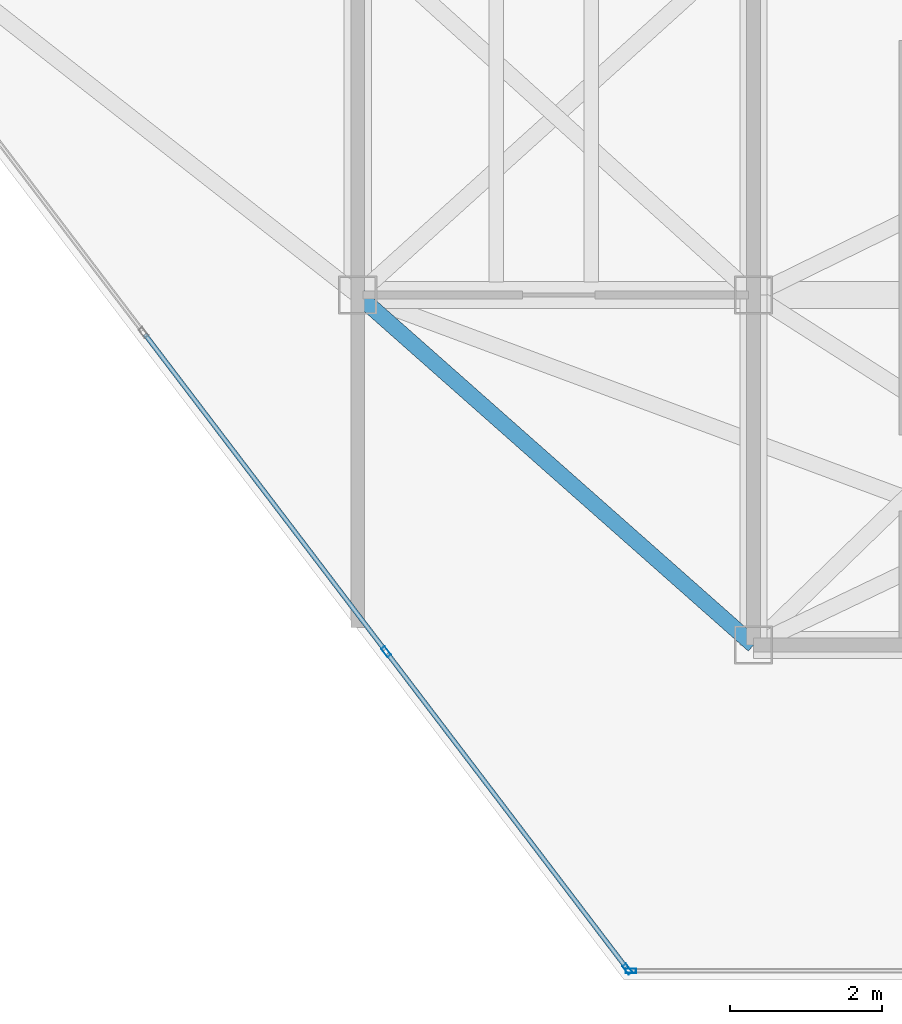
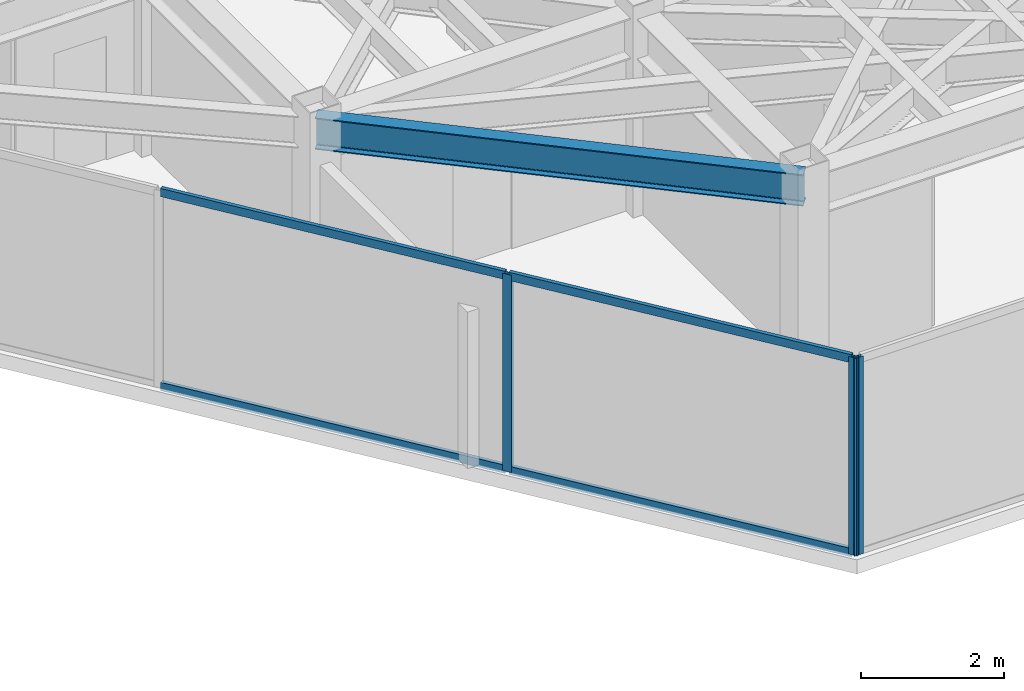
# One storey, part 7 of 20: 7 members, 1 beam, 2 elements without a shape of their own.
"""IFC4 building model written with IfcOpenShell, lengths in metres."""

from ifc_helpers import new_model, si_unit, direction, frame, origin, origin_2d, place, context, subcontext, project, spatial, hollow_rectangle, i_section, extrude, material, layer, layer_set, material_profile, profile_set, type_object, element, aggregate, save


model = new_model("IFC4")

# Units and contexts
model_context = context("Model", 3, precision=1e-05, world=origin(), true_north=direction((0.0, 1.0)))
body_context = subcontext(model_context, "Body", "Model", "MODEL_VIEW")
ifc_project = project(units=[si_unit("LENGTHUNIT", "METRE"), si_unit("AREAUNIT", "SQUARE_METRE"), si_unit("VOLUMEUNIT", "CUBIC_METRE"), si_unit("PLANEANGLEUNIT", "RADIAN"), si_unit("MASSUNIT", "GRAM", prefix="KILO")], contexts=[model_context])

# Site, building, storey
site_placement = place(None, origin())
site = spatial("IfcSite", under=ifc_project, at=site_placement, CompositionType="ELEMENT")
building_placement = place(site_placement, origin())
building = spatial("IfcBuilding", under=site, at=building_placement, Name="Kravanh Interchange Tower", CompositionType="ELEMENT")
storey_placement = place(building_placement, frame((0.0, 0.0, 252.60009765625)))
storey = spatial("IfcBuildingStorey", under=building, at=storey_placement, Name="L61", CompositionType="ELEMENT", Elevation=252.60009765625)

# Curtain wall, member
ifc_material_1 = material(Name="Anodised Bronze Aluminium", Category="aluminium")
ifc_layer = layer(ifc_material_1, 0.179931640625)
ifc_layer_set = layer_set([ifc_layer], Name="Unitised Curtain Wall System CW-HTL Luxury Hotel")
curtain_wall_type = type_object("IfcCurtainWallType", Name="Unitised Curtain Wall System CW-HTL Luxury Hotel", PredefinedType="NOTDEFINED", material=ifc_layer_set)
curtain_wall_1_placement = place(storey_placement, origin())
curtain_wall_1 = element("IfcCurtainWall", 1, at=curtain_wall_1_placement, inside=storey, type_object=curtain_wall_type, Name="L61 Unitised Curtain Wall CW-L61-03", PredefinedType="NOTDEFINED")
ifc_material_2 = material(Name="Anodised Bronze Aluminium", Category="aluminium")
ifc_material_profile_1 = material_profile(ifc_material_2, hollow_rectangle(XDim=0.06005859375, YDim=0.139892578125, WallThickness=0.00390625, at=origin_2d()), Name="ALU60X140X4")
ifc_profile_set_1 = profile_set([ifc_material_profile_1], Name="Anodised Bronze Aluminium")
member_type_1 = type_object("IfcMemberType", Name="Curtain Wall Mullion ALU60X140X4 Bronze", PredefinedType="MULLION", material=ifc_profile_set_1)
member_1_placement = place(storey_placement, frame((54.389404296875, 17.919921875, 0.0), z_axis=(0.0, 0.0, 1.0), x_axis=(0.0, -1.0, 0.0)))
member_1 = element("IfcMember", 2, at=member_1_placement, type_object=member_type_1, Name="CW-HTL mullion 3", PredefinedType="MULLION", context=body_context, shape_type="SweptSolid", body=[
    extrude(hollow_rectangle(XDim=0.06005859375, YDim=0.139892578125, WallThickness=0.00390625, at=origin_2d()), origin(), (0.0, 0.0, 1.0), 3.35986328125),
])
aggregate(curtain_wall_1, [member_1])

# Curtain wall, members
curtain_wall_2_placement = place(storey_placement, origin())
curtain_wall_2 = element("IfcCurtainWall", 3, at=curtain_wall_2_placement, inside=storey, type_object=curtain_wall_type, Name="L61 Unitised Curtain Wall CW-L61-04", PredefinedType="NOTDEFINED")
member_2_placement = place(storey_placement, frame((54.34130859375, 17.94384765625, 0.0), z_axis=(0.0, 0.0, 1.0), x_axis=(-0.79616243806, -0.605082946564, 0.0)))
member_2 = element("IfcMember", 4, at=member_2_placement, type_object=member_type_1, Name="CW-HTL mullion 1", PredefinedType="MULLION", context=body_context, shape_type="SweptSolid", body=[
    extrude(hollow_rectangle(XDim=0.06005859375, YDim=0.139892578125, WallThickness=0.00390625, at=origin_2d()), origin(), (0.0, 0.0, 1.0), 3.35986328125),
])
member_3_placement = place(storey_placement, frame((51.173095703125, 22.11279296875, 0.0), z_axis=(0.0, 0.0, 1.0), x_axis=(-0.79616243806, -0.605082946564, 0.0)))
member_3 = element("IfcMember", 5, at=member_3_placement, type_object=member_type_1, Name="CW-HTL mullion 2", PredefinedType="MULLION", context=body_context, shape_type="SweptSolid", body=[
    extrude(hollow_rectangle(XDim=0.06005859375, YDim=0.139892578125, WallThickness=0.00390625, at=origin_2d()), origin(), (0.0, 0.0, 1.0), 3.35986328125),
])
ifc_material_3 = material(Name="Anodised Bronze Aluminium", Category="aluminium")
ifc_material_profile_2 = material_profile(ifc_material_3, hollow_rectangle(XDim=0.06005859375, YDim=0.139892578125, WallThickness=0.00390625, at=origin_2d()), Name="ALU60X140X4")
ifc_profile_set_2 = profile_set([ifc_material_profile_2], Name="Anodised Bronze Aluminium")
member_type_2 = type_object("IfcMemberType", Name="Curtain Wall Transom ALU60X140X4 Bronze", PredefinedType="USERDEFINED", material=ifc_profile_set_2)
member_4_placement = place(storey_placement, frame((54.3232421875, 17.9677734375, 0.02978515625), z_axis=(-0.605089246946, 0.796157649734, 0.0), x_axis=(-0.796157649734, -0.605089246946, 0.0)))
member_4 = element("IfcMember", 6, at=member_4_placement, type_object=member_type_2, Name="CW-HTL transom 1.1", ObjectType="TRANSOM", PredefinedType="USERDEFINED", context=body_context, shape_type="SweptSolid", body=[
    extrude(hollow_rectangle(XDim=0.06005859375, YDim=0.139892578125, WallThickness=0.00390625, at=origin_2d()), origin(), (0.0, 0.0, 1.0), 5.17626953125),
])
member_5_placement = place(storey_placement, frame((54.3232421875, 17.9677734375, 3.329833984375), z_axis=(-0.605089246946, 0.796157649734, 0.0), x_axis=(-0.796157649734, -0.605089246946, 0.0)))
member_5 = element("IfcMember", 7, at=member_5_placement, type_object=member_type_2, Name="CW-HTL transom 1.2", ObjectType="TRANSOM", PredefinedType="USERDEFINED", context=body_context, shape_type="SweptSolid", body=[
    extrude(hollow_rectangle(XDim=0.06005859375, YDim=0.139892578125, WallThickness=0.00390625, at=origin_2d()), origin(), (0.0, 0.0, 1.0), 5.17626953125),
])
member_6_placement = place(storey_placement, frame((51.15478515625, 22.13671875, 0.02978515625), z_axis=(-0.605074944506, 0.796168519555, 0.0), x_axis=(-0.796168519555, -0.605074944506, 0.0)))
member_6 = element("IfcMember", 8, at=member_6_placement, type_object=member_type_2, Name="CW-HTL transom 2.1", ObjectType="TRANSOM", PredefinedType="USERDEFINED", context=body_context, shape_type="SweptSolid", body=[
    extrude(hollow_rectangle(XDim=0.06005859375, YDim=0.139892578125, WallThickness=0.00390625, at=origin_2d()), origin(), (0.0, 0.0, 1.0), 5.206298828125),
])
member_7_placement = place(storey_placement, frame((51.15478515625, 22.13671875, 3.329833984375), z_axis=(-0.605074944506, 0.796168519555, 0.0), x_axis=(-0.796168519555, -0.605074944506, 0.0)))
member_7 = element("IfcMember", 9, at=member_7_placement, type_object=member_type_2, Name="CW-HTL transom 2.2", ObjectType="TRANSOM", PredefinedType="USERDEFINED", context=body_context, shape_type="SweptSolid", body=[
    extrude(hollow_rectangle(XDim=0.06005859375, YDim=0.139892578125, WallThickness=0.00390625, at=origin_2d()), origin(), (0.0, 0.0, 1.0), 5.206298828125),
])
aggregate(curtain_wall_2, [member_2, member_3, member_4, member_5, member_6, member_7])

# Beam
ifc_material_4 = material(Name="Structural Steel S355", Category="steel")
ifc_material_profile_3 = material_profile(ifc_material_4, i_section(OverallWidth=0.2099609375, OverallDepth=0.537109375, WebThickness=0.010986328125, FlangeThickness=0.017333984375, FilletRadius=0.02001953125, at=origin_2d()), Name="W21X68")
ifc_profile_set_3 = profile_set([ifc_material_profile_3], Name="Structural Steel S355")
beam_type = type_object("IfcBeamType", Name="Floor Spandrel W21X68 Structural Steel S355", PredefinedType="SPANDREL", material=ifc_profile_set_3)
beam_placement = place(storey_placement, frame((50.800048828125, 26.800048828125, 3.09130859375), z_axis=(0.74898649432, -0.662585263439, 0.0), x_axis=(0.662585263439, 0.74898649432, 0.0)))
element("IfcBeam", 10, at=beam_placement, inside=storey, type_object=beam_type, Name="L61 Perimeter Spandrel 32", PredefinedType="SPANDREL", context=body_context, shape_type="SweptSolid", body=[
    extrude(i_section(OverallWidth=0.2099609375, OverallDepth=0.537109375, WebThickness=0.010986328125, FlangeThickness=0.017333984375, FilletRadius=0.02001953125, at=origin_2d()), origin(), (0.0, 0.0, 1.0), 6.942626953125),
])

save(model, "model.ifc")
